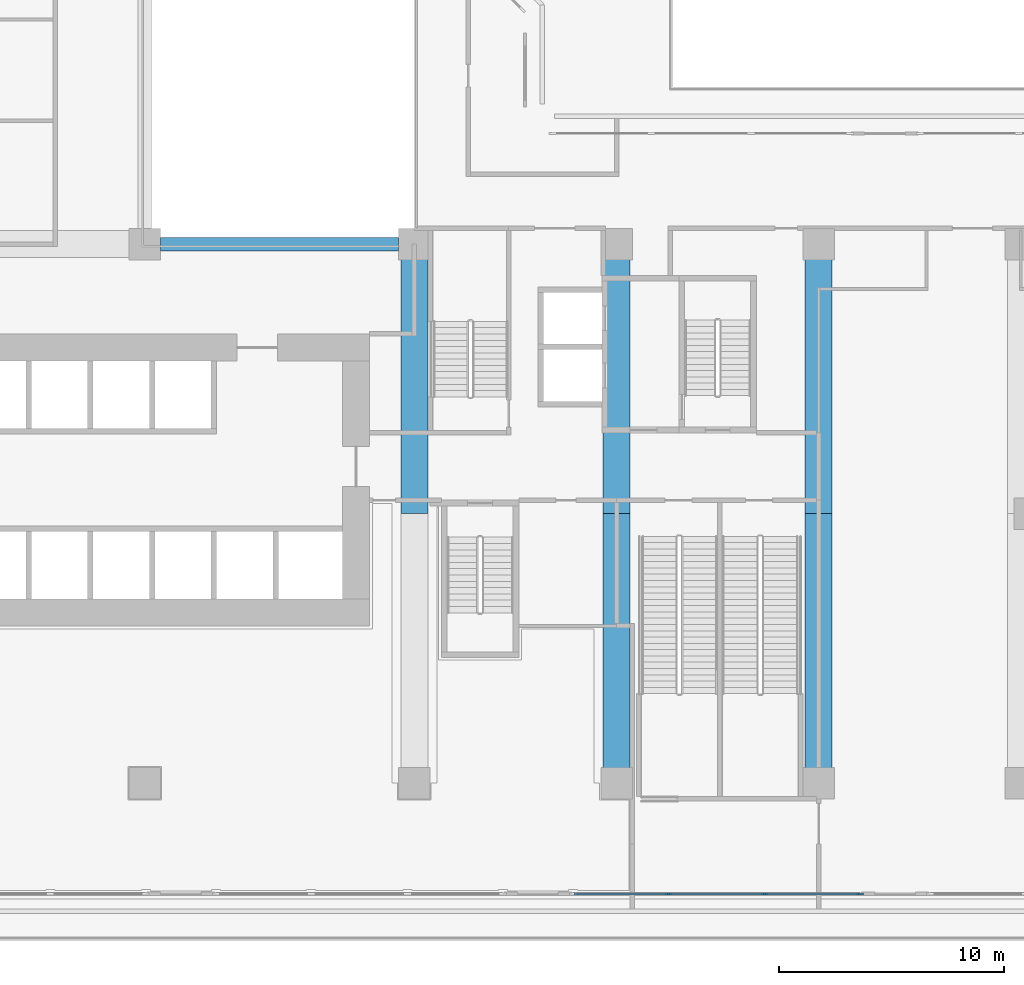
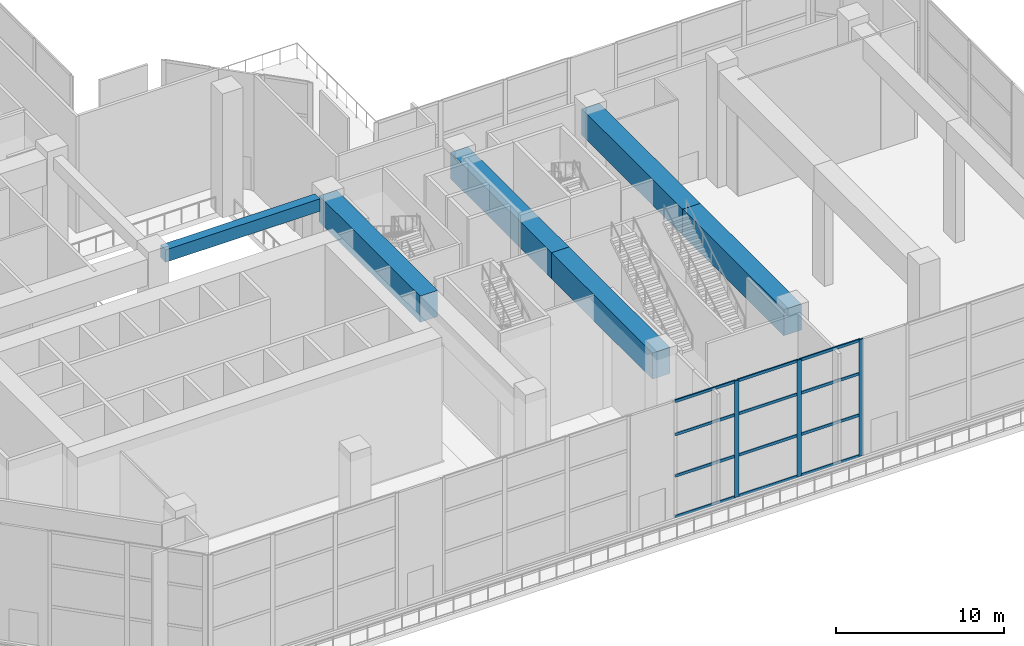
# One storey, part 3 of 28: 15 members, 6 beams, 1 element without a shape of its own.
"""IFC4 building model written with IfcOpenShell, lengths in metres."""

from ifc_helpers import new_model, si_unit, direction, frame, frame_2d, origin, origin_2d, place, context, subcontext, project, spatial, rectangle, extrude, material, layer, layer_set, material_profile, profile_set, type_object, element, aggregate, save


model = new_model("IFC4")

# Units and contexts
model_context = context("Model", 3, precision=1e-05, world=origin(), true_north=direction((0.0, 1.0)))
body_context = subcontext(model_context, "Body", "Model", "MODEL_VIEW")
ifc_project = project(units=[si_unit("LENGTHUNIT", "METRE"), si_unit("AREAUNIT", "SQUARE_METRE"), si_unit("VOLUMEUNIT", "CUBIC_METRE"), si_unit("PLANEANGLEUNIT", "RADIAN"), si_unit("MASSUNIT", "GRAM", prefix="KILO")], contexts=[model_context])

# Site, building, storey
site_placement = place(None, origin())
site = spatial("IfcSite", under=ifc_project, at=site_placement, CompositionType="ELEMENT")
building_placement = place(site_placement, origin())
building = spatial("IfcBuilding", under=site, at=building_placement, Name="Chenar Terraces", CompositionType="ELEMENT")
storey_placement = place(building_placement, frame((0.0, 0.0, 26.39990234375)))
storey = spatial("IfcBuildingStorey", under=building, at=storey_placement, Name="L05", CompositionType="ELEMENT", Elevation=26.39990234375)

# Beam
ifc_material_1 = material(Name="Concrete C40/50", Category="concrete")
ifc_material_profile_1 = material_profile(ifc_material_1, rectangle(XDim=0.60009765625, YDim=0.89990234375, at=origin_2d()), Name="RC 600 x 900")
ifc_profile_set_1 = profile_set([ifc_material_profile_1], Name="Concrete C40/50")
beam_type_1 = type_object("IfcBeamType", Name="Atrium edge beam 600 x 900 Concrete C40/50", PredefinedType="BEAM", material=ifc_profile_set_1)
beam_placement = place(storey_placement, frame((24.699951171875, 24.0, 8.0), z_axis=(1.0, 0.0, 0.0), x_axis=(0.0, 1.0, 0.0)))
element("IfcBeam", 1, at=beam_placement, inside=storey, type_object=beam_type_1, Name="Atrium edge beam L06 1", PredefinedType="BEAM", context=body_context, shape_type="SweptSolid", body=[
    extrude(rectangle(XDim=0.60009765625, YDim=0.89990234375, at=origin_2d()), origin(), (0.0, 0.0, 1.0), 10.60009765625),
])

# Curtain wall, members
ifc_material_2 = material(Name="Aluminium framed glazing", Category="aluminium")
ifc_layer = layer(ifc_material_2, 0.14990234375)
ifc_layer_set = layer_set([ifc_layer], Name="Aluminium framed glazing")
curtain_wall_type = type_object("IfcCurtainWallType", Name="Hall curtain wall", PredefinedType="NOTDEFINED", material=ifc_layer_set)
curtain_wall_placement = place(storey_placement, origin())
curtain_wall = element("IfcCurtainWall", 2, at=curtain_wall_placement, inside=storey, type_object=curtain_wall_type, Name="Hall curtain wall", PredefinedType="NOTDEFINED")
ifc_material_3 = material(Name="Aluminium", Category="aluminium")
ifc_material_profile_2 = material_profile(ifc_material_3, rectangle(XDim=0.090087890625, YDim=0.300048828125, at=origin_2d()), Name="Hall glazing mullion 90 x 300")
ifc_profile_set_2 = profile_set([ifc_material_profile_2], Name="Aluminium")
member_type_1 = type_object("IfcMemberType", Name="Hall glazing mullion 90 x 300", PredefinedType="MULLION", material=ifc_profile_set_2)
member_1_placement = place(storey_placement, frame((47.30419921875, -4.925048828125, 0.0), z_axis=(0.0, 0.0, 1.0), x_axis=(0.0, 1.0, 0.0)))
member_1 = element("IfcMember", 3, at=member_1_placement, type_object=member_type_1, Name="CW5-12c2 mullion 2", PredefinedType="MULLION", context=body_context, shape_type="SweptSolid", body=[
    extrude(rectangle(XDim=0.090087890625, YDim=0.300048828125, at=origin_2d()), origin(), (0.0, 0.0, 1.0), 8.4501953125),
])
member_2_placement = place(storey_placement, frame((51.595703125, -4.925048828125, 0.0), z_axis=(0.0, 0.0, 1.0), x_axis=(0.0, 1.0, 0.0)))
member_2 = element("IfcMember", 4, at=member_2_placement, type_object=member_type_1, Name="CW5-12c2 mullion 3", PredefinedType="MULLION", context=body_context, shape_type="SweptSolid", body=[
    extrude(rectangle(XDim=0.090087890625, YDim=0.300048828125, at=origin_2d()), origin(), (0.0, 0.0, 1.0), 8.4501953125),
])
member_3_placement = place(storey_placement, frame((55.84228515625, -4.925048828125, 0.0), z_axis=(0.0, 0.0, 1.0), x_axis=(0.0, 1.0, 0.0)))
member_3 = element("IfcMember", 5, at=member_3_placement, type_object=member_type_1, Name="CW5-12c2 mullion 4", PredefinedType="MULLION", context=body_context, shape_type="SweptSolid", body=[
    extrude(rectangle(XDim=0.090087890625, YDim=0.300048828125, at=origin_2d()), origin(), (0.0, 0.0, 1.0), 8.4501953125),
])
ifc_material_4 = material(Name="Aluminium", Category="aluminium")
ifc_material_profile_3 = material_profile(ifc_material_4, rectangle(XDim=0.090087890625, YDim=0.199951171875, at=origin_2d()), Name="Hall glazing transom 90 x 200")
ifc_profile_set_3 = profile_set([ifc_material_profile_3], Name="Aluminium")
member_type_2 = type_object("IfcMemberType", Name="Hall glazing transom 90 x 200", PredefinedType="USERDEFINED", material=ifc_profile_set_3)
member_4_placement = place(storey_placement, frame((43.1025390625, -4.925048828125, 0.045166015625), z_axis=(1.0, 0.0, 0.0), x_axis=(0.0, 1.0, 0.0)))
member_4 = element("IfcMember", 6, at=member_4_placement, type_object=member_type_2, Name="CW5-12c2 transom 1.1", ObjectType="TRANSOM", PredefinedType="USERDEFINED", context=body_context, shape_type="SweptSolid", body=[
    extrude(rectangle(XDim=0.090087890625, YDim=0.199951171875, at=origin_2d()), origin(), (0.0, 0.0, 1.0), 4.156494140625),
])
member_5_placement = place(storey_placement, frame((43.1025390625, -4.925048828125, 3.0), z_axis=(1.0, 0.0, 0.0), x_axis=(0.0, 1.0, 0.0)))
member_5 = element("IfcMember", 7, at=member_5_placement, type_object=member_type_2, Name="CW5-12c2 transom 1.2", ObjectType="TRANSOM", PredefinedType="USERDEFINED", context=body_context, shape_type="SweptSolid", body=[
    extrude(rectangle(XDim=0.090087890625, YDim=0.199951171875, at=origin_2d()), origin(), (0.0, 0.0, 1.0), 4.156494140625),
])
member_6_placement = place(storey_placement, frame((43.1025390625, -4.925048828125, 6.0), z_axis=(1.0, 0.0, 0.0), x_axis=(0.0, 1.0, 0.0)))
member_6 = element("IfcMember", 8, at=member_6_placement, type_object=member_type_2, Name="CW5-12c2 transom 1.3", ObjectType="TRANSOM", PredefinedType="USERDEFINED", context=body_context, shape_type="SweptSolid", body=[
    extrude(rectangle(XDim=0.090087890625, YDim=0.199951171875, at=origin_2d()), origin(), (0.0, 0.0, 1.0), 4.156494140625),
])
member_7_placement = place(storey_placement, frame((43.1025390625, -4.925048828125, 8.405029296875), z_axis=(1.0, 0.0, 0.0), x_axis=(0.0, 1.0, 0.0)))
member_7 = element("IfcMember", 9, at=member_7_placement, type_object=member_type_2, Name="CW5-12c2 transom 1.4", ObjectType="TRANSOM", PredefinedType="USERDEFINED", context=body_context, shape_type="SweptSolid", body=[
    extrude(rectangle(XDim=0.090087890625, YDim=0.199951171875, at=origin_2d()), origin(), (0.0, 0.0, 1.0), 4.156494140625),
])
member_8_placement = place(storey_placement, frame((47.34912109375, -4.925048828125, 0.045166015625), z_axis=(1.0, 0.0, 0.0), x_axis=(0.0, 1.0, 0.0)))
member_8 = element("IfcMember", 10, at=member_8_placement, type_object=member_type_2, Name="CW5-12c2 transom 2.1", ObjectType="TRANSOM", PredefinedType="USERDEFINED", context=body_context, shape_type="SweptSolid", body=[
    extrude(rectangle(XDim=0.090087890625, YDim=0.199951171875, at=origin_2d()), origin(), (0.0, 0.0, 1.0), 4.20166015625),
])
member_9_placement = place(storey_placement, frame((47.34912109375, -4.925048828125, 3.0), z_axis=(1.0, 0.0, 0.0), x_axis=(0.0, 1.0, 0.0)))
member_9 = element("IfcMember", 11, at=member_9_placement, type_object=member_type_2, Name="CW5-12c2 transom 2.2", ObjectType="TRANSOM", PredefinedType="USERDEFINED", context=body_context, shape_type="SweptSolid", body=[
    extrude(rectangle(XDim=0.090087890625, YDim=0.199951171875, at=origin_2d()), origin(), (0.0, 0.0, 1.0), 4.20166015625),
])
member_10_placement = place(storey_placement, frame((47.34912109375, -4.925048828125, 6.0), z_axis=(1.0, 0.0, 0.0), x_axis=(0.0, 1.0, 0.0)))
member_10 = element("IfcMember", 12, at=member_10_placement, type_object=member_type_2, Name="CW5-12c2 transom 2.3", ObjectType="TRANSOM", PredefinedType="USERDEFINED", context=body_context, shape_type="SweptSolid", body=[
    extrude(rectangle(XDim=0.090087890625, YDim=0.199951171875, at=origin_2d()), origin(), (0.0, 0.0, 1.0), 4.20166015625),
])
member_11_placement = place(storey_placement, frame((47.34912109375, -4.925048828125, 8.405029296875), z_axis=(1.0, 0.0, 0.0), x_axis=(0.0, 1.0, 0.0)))
member_11 = element("IfcMember", 13, at=member_11_placement, type_object=member_type_2, Name="CW5-12c2 transom 2.4", ObjectType="TRANSOM", PredefinedType="USERDEFINED", context=body_context, shape_type="SweptSolid", body=[
    extrude(rectangle(XDim=0.090087890625, YDim=0.199951171875, at=origin_2d()), origin(), (0.0, 0.0, 1.0), 4.20166015625),
])
member_12_placement = place(storey_placement, frame((51.640625, -4.925048828125, 0.045166015625), z_axis=(1.0, 0.0, 0.0), x_axis=(0.0, 1.0, 0.0)))
member_12 = element("IfcMember", 14, at=member_12_placement, type_object=member_type_2, Name="CW5-12c2 transom 3.1", ObjectType="TRANSOM", PredefinedType="USERDEFINED", context=body_context, shape_type="SweptSolid", body=[
    extrude(rectangle(XDim=0.090087890625, YDim=0.199951171875, at=origin_2d()), origin(), (0.0, 0.0, 1.0), 4.15673828125),
])
member_13_placement = place(storey_placement, frame((51.640625, -4.925048828125, 3.0), z_axis=(1.0, 0.0, 0.0), x_axis=(0.0, 1.0, 0.0)))
member_13 = element("IfcMember", 15, at=member_13_placement, type_object=member_type_2, Name="CW5-12c2 transom 3.2", ObjectType="TRANSOM", PredefinedType="USERDEFINED", context=body_context, shape_type="SweptSolid", body=[
    extrude(rectangle(XDim=0.090087890625, YDim=0.199951171875, at=origin_2d()), origin(), (0.0, 0.0, 1.0), 4.15673828125),
])
member_14_placement = place(storey_placement, frame((51.640625, -4.925048828125, 6.0), z_axis=(1.0, 0.0, 0.0), x_axis=(0.0, 1.0, 0.0)))
member_14 = element("IfcMember", 16, at=member_14_placement, type_object=member_type_2, Name="CW5-12c2 transom 3.3", ObjectType="TRANSOM", PredefinedType="USERDEFINED", context=body_context, shape_type="SweptSolid", body=[
    extrude(rectangle(XDim=0.090087890625, YDim=0.199951171875, at=origin_2d()), origin(), (0.0, 0.0, 1.0), 4.15673828125),
])
member_15_placement = place(storey_placement, frame((51.640625, -4.925048828125, 8.405029296875), z_axis=(1.0, 0.0, 0.0), x_axis=(0.0, 1.0, 0.0)))
member_15 = element("IfcMember", 17, at=member_15_placement, type_object=member_type_2, Name="CW5-12c2 transom 3.4", ObjectType="TRANSOM", PredefinedType="USERDEFINED", context=body_context, shape_type="SweptSolid", body=[
    extrude(rectangle(XDim=0.090087890625, YDim=0.199951171875, at=origin_2d()), origin(), (0.0, 0.0, 1.0), 4.15673828125),
])
aggregate(curtain_wall, [member_1, member_2, member_3, member_4, member_5, member_6, member_7, member_8, member_9, member_10, member_11, member_12, member_13, member_14, member_15])

# Beams
ifc_material_5 = material(Name="Concrete C60/75", Category="concrete")
ifc_material_profile_4 = material_profile(ifc_material_5, rectangle(XDim=1.199951171875, YDim=1.89990234375, at=origin_2d()), Name="RC 1200 x 1900")
ifc_profile_set_4 = profile_set([ifc_material_profile_4], Name="Concrete C60/75")
beam_type_2 = type_object("IfcBeamType", Name="Transfer girder 1200 x 1900 Concrete C60/75", PredefinedType="BEAM", material=ifc_profile_set_4)
for number, where, z_axis, x_axis, name in (
    (18, (36.0, 12.0, 8.449951171875), (0.0, 1.0, 0.0), (-1.0, 0.0, 0.0), "Transfer girder 8/F north"),
    (19, (45.0, 0.0, 8.449951171875), (0.0, 1.0, 0.0), (-1.0, 0.0, 0.0), "Transfer girder 9/F south"),
    (20, (45.0, 12.0, 8.449951171875), (0.0, 1.0, 0.0), (-1.0, 0.0, 0.0), "Transfer girder 9/F north"),
    (21, (54.0, 0.0, 8.449951171875), (0.0, 1.0, 0.0), (-1.0, 0.0, 0.0), "Transfer girder 10/F south"),
    (22, (54.0, 12.0, 8.449951171875), (0.0, 1.0, 0.0), (-1.0, 0.0, 0.0), "Transfer girder 10/F north"),
):
    element("IfcBeam", number, at=place(storey_placement, frame(where, z_axis=z_axis, x_axis=x_axis)), inside=storey, type_object=beam_type_2, Name=name, PredefinedType="BEAM", context=body_context, shape_type="SweptSolid", body=[
        extrude(rectangle(XDim=1.199951171875, YDim=1.89990234375, at=frame_2d((0.0, -0.949951171875))), origin(), (0.0, 0.0, 1.0), 12.0),
    ])

save(model, "model.ifc")
